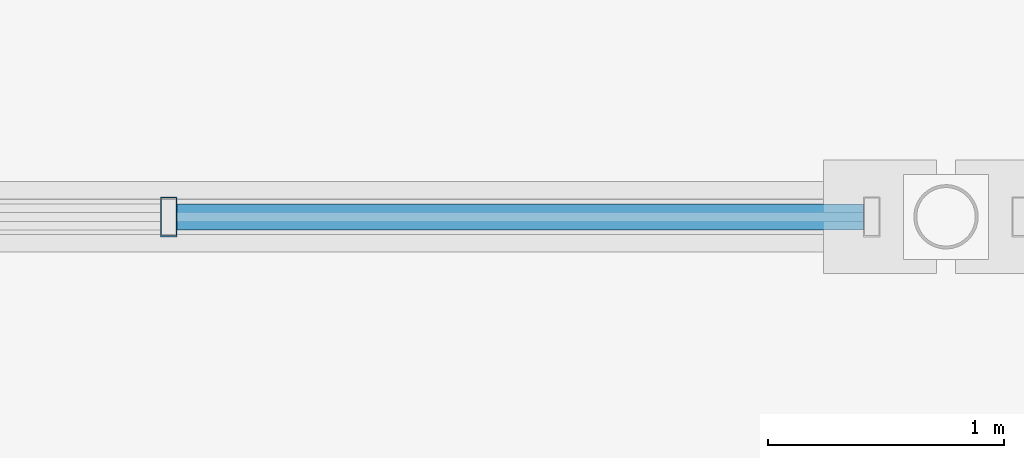
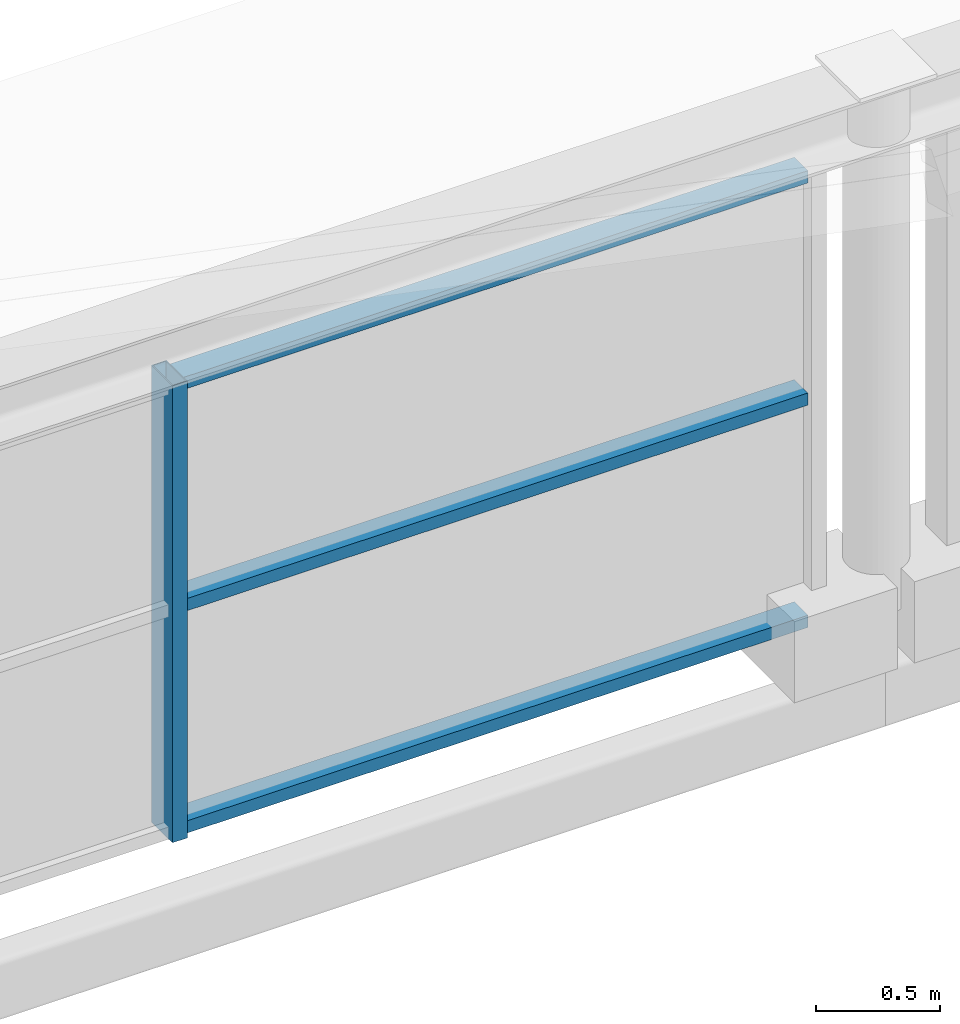
# One storey, part 71 of 117: 4 members, 1 element without a shape of its own.
"""IFC4 building model written with IfcOpenShell, lengths in metres."""

from ifc_helpers import new_model, si_unit, direction, frame, origin, origin_2d, place, context, subcontext, project, spatial, hollow_rectangle, extrude, material, material_profile, profile_set, type_object, element, aggregate, save


model = new_model("IFC4")

# Units and contexts
model_context = context("Model", 3, precision=1e-05, world=origin(), true_north=direction((0.0, 1.0)))
body_context = subcontext(model_context, "Body", "Model", "MODEL_VIEW")
ifc_project = project(units=[si_unit("LENGTHUNIT", "METRE"), si_unit("AREAUNIT", "SQUARE_METRE"), si_unit("VOLUMEUNIT", "CUBIC_METRE"), si_unit("PLANEANGLEUNIT", "RADIAN"), si_unit("MASSUNIT", "GRAM", prefix="KILO")], contexts=[model_context])

# Site, building, storey
site_placement = place(None, origin())
site = spatial("IfcSite", under=ifc_project, at=site_placement, CompositionType="ELEMENT")
building_placement = place(site_placement, origin())
building = spatial("IfcBuilding", under=site, at=building_placement, Name="Merenkruunu Market Hall", CompositionType="ELEMENT")
storey_placement = place(building_placement, frame((0.0, 0.0, 10.199951171875)))
storey = spatial("IfcBuildingStorey", under=building, at=storey_placement, Name="L02", CompositionType="ELEMENT", Elevation=10.199951171875)

# Curtain wall, members
ifc_material = material(Name="Powder-coated aluminium", Category="aluminium")
curtain_wall_type = type_object("IfcCurtainWallType", Name="Glazed Curtain Wall CW16", PredefinedType="USERDEFINED", material=ifc_material)
curtain_wall_placement = place(storey_placement, origin())
curtain_wall = element("IfcCurtainWall", 1, at=curtain_wall_placement, inside=storey, type_object=curtain_wall_type, Name="CW-L02-CWM04-144", ObjectType="GLAZED_FACADE", PredefinedType="USERDEFINED")
ifc_material_profile_1 = material_profile(ifc_material, hollow_rectangle(XDim=0.070068359375, YDim=0.169921875, WallThickness=0.0048828125, at=origin_2d()), Name="ALU 70x170x5")
ifc_profile_set_1 = profile_set([ifc_material_profile_1], Name="Powder-coated aluminium")
member_type_1 = type_object("IfcMemberType", Name="Curtain Wall Mullion CWM04", PredefinedType="MULLION", material=ifc_profile_set_1)
member_1_placement = place(storey_placement, frame((63.90673828125, 99.60009765625, 0.0), z_axis=(0.0, 0.0, 1.0), x_axis=(1.0, 0.0, 0.0)))
member_1 = element("IfcMember", 2, at=member_1_placement, type_object=member_type_1, Name="CW16 mullion 3", PredefinedType="MULLION", context=body_context, shape_type="SweptSolid", body=[
    extrude(hollow_rectangle(XDim=0.070068359375, YDim=0.169921875, WallThickness=0.0048828125, at=origin_2d()), origin(), (0.0, 0.0, 1.0), 2.25),
])
ifc_material_profile_2 = material_profile(ifc_material, hollow_rectangle(XDim=0.06005859375, YDim=0.110107421875, WallThickness=0.00390625, at=origin_2d()), Name="ALU 60x110x4")
ifc_profile_set_2 = profile_set([ifc_material_profile_2], Name="Powder-coated aluminium")
member_type_2 = type_object("IfcMemberType", Name="Curtain Wall Transom CWT03", PredefinedType="USERDEFINED", material=ifc_profile_set_2)
member_2_placement = place(storey_placement, frame((63.941650390625, 99.60009765625, 0.030029296875), z_axis=(1.0, 0.0, 0.0), x_axis=(0.0, 0.0, 1.0)))
member_2 = element("IfcMember", 3, at=member_2_placement, type_object=member_type_2, Name="CW16 transom 3.1", ObjectType="TRANSOM", PredefinedType="USERDEFINED", context=body_context, shape_type="SweptSolid", body=[
    extrude(hollow_rectangle(XDim=0.06005859375, YDim=0.110107421875, WallThickness=0.00390625, at=origin_2d()), origin(), (0.0, 0.0, 1.0), 2.908447265625),
])
member_3_placement = place(storey_placement, frame((63.941650390625, 99.60009765625, 1.125), z_axis=(1.0, 0.0, 0.0), x_axis=(0.0, 0.0, 1.0)))
member_3 = element("IfcMember", 4, at=member_3_placement, type_object=member_type_2, Name="CW16 transom 3.2", ObjectType="TRANSOM", PredefinedType="USERDEFINED", context=body_context, shape_type="SweptSolid", body=[
    extrude(hollow_rectangle(XDim=0.06005859375, YDim=0.110107421875, WallThickness=0.00390625, at=origin_2d()), origin(), (0.0, 0.0, 1.0), 2.908447265625),
])
member_4_placement = place(storey_placement, frame((63.941650390625, 99.60009765625, 2.219970703125), z_axis=(1.0, 0.0, 0.0), x_axis=(0.0, 0.0, 1.0)))
member_4 = element("IfcMember", 5, at=member_4_placement, type_object=member_type_2, Name="CW16 transom 3.3", ObjectType="TRANSOM", PredefinedType="USERDEFINED", context=body_context, shape_type="SweptSolid", body=[
    extrude(hollow_rectangle(XDim=0.06005859375, YDim=0.110107421875, WallThickness=0.00390625, at=origin_2d()), origin(), (0.0, 0.0, 1.0), 2.908447265625),
])
aggregate(curtain_wall, [member_1, member_2, member_3, member_4])

save(model, "model.ifc")
